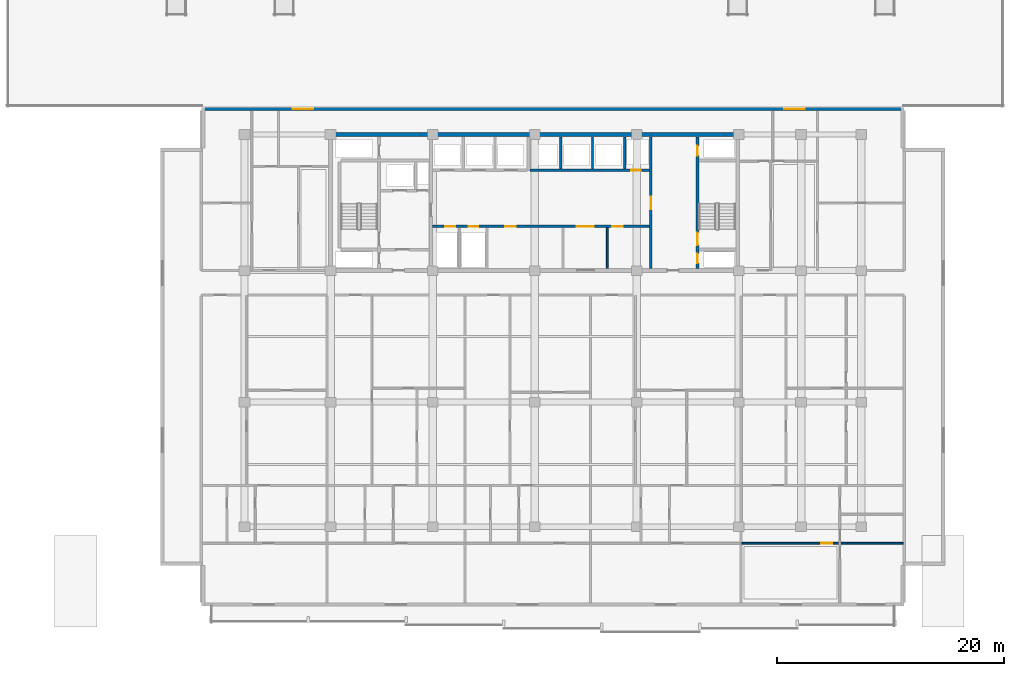
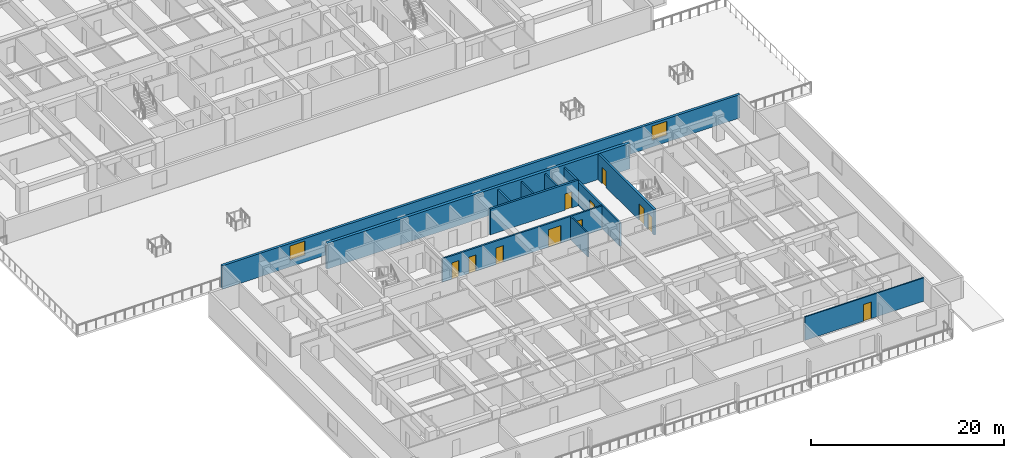
# One storey, part 7 of 24: 11 doors, 11 walls, 2 windows, 13 openings.
"""IFC4 building model written with IfcOpenShell, lengths in metres."""

import ifcopenshell
import ifcopenshell.guid

model = None  # the IFC model being written
_history = None  # IfcOwnerHistory: only IFC2X3 demands one
_inside = {}  # id of a spatial element -> (the spatial element, [elements in it])
_under = {}  # id of a project, library or spatial element -> (it, [spatial elements below it])
_declared = {}  # id of a project -> (the project, [libraries it declares])
_typed = {}  # id of a type object -> (the type object, [elements of that type])
_made_of = {}  # id of a material, layer set ... -> (it, [elements and type objects made of it])


def new_model(schema):
    """Start an empty IFC model of exactly this schema.

    Asked for "IFC4X3", IfcOpenShell would pick the latest addendum, in which some entities
    have other attributes; the version numbers below select the first issue.
    IFC2X3 requires an IfcOwnerHistory on every rooted entity: one is made here for all.
    """
    global model, _history
    if schema == "IFC4X3":
        model = ifcopenshell.file(schema_version=(4, 3, 0, 0))
    else:
        model = ifcopenshell.file(schema=schema)
    _inside.clear()
    _under.clear()
    _declared.clear()
    _typed.clear()
    _made_of.clear()
    _history = None
    if model.schema == "IFC2X3":
        org = make("IfcOrganization", Name="unknown")
        user = make(
            "IfcPersonAndOrganization",
            ThePerson=make("IfcPerson", FamilyName="unknown"),
            TheOrganization=org,
        )
        app = make(
            "IfcApplication",
            ApplicationDeveloper=org,
            Version="unknown",
            ApplicationFullName="unknown",
            ApplicationIdentifier="unknown",
        )
        _history = make(
            "IfcOwnerHistory",
            OwningUser=user,
            OwningApplication=app,
            ChangeAction="ADDED",
            CreationDate=0,
        )
    return model


def make(cls, **values):
    """One entity of the class cls with the attributes given. An attribute that is None is left unset."""
    return model.create_entity(
        cls, **{name: value for name, value in values.items() if value is not None}
    )


def rooted(cls, **values):
    """An entity with a GlobalId (a new one), such as an element, a storey or a relation."""
    return make(cls, GlobalId=ifcopenshell.guid.new(), OwnerHistory=_history, **values)


def si_unit(unit_type, name, prefix=None):
    """IfcSIUnit, for example si_unit("LENGTHUNIT", "METRE", prefix="MILLI")."""
    return make("IfcSIUnit", UnitType=unit_type, Prefix=prefix, Name=name)


def assignment(units):
    """IfcUnitAssignment: the units of a project."""
    return None if units is None else make("IfcUnitAssignment", Units=units)


def point(xyz):
    """IfcCartesianPoint."""
    return None if xyz is None else make("IfcCartesianPoint", Coordinates=xyz)


def direction(xyz):
    """IfcDirection."""
    return None if xyz is None else make("IfcDirection", DirectionRatios=xyz)


def frame(location, z_axis=None, x_axis=None):
    """IfcAxis2Placement3D, a coordinate frame: its origin and axes. An axis left out is left unset."""
    return make(
        "IfcAxis2Placement3D",
        Location=point(location),
        Axis=direction(z_axis),
        RefDirection=direction(x_axis),
    )


def frame_2d(location, x_axis=None):
    """IfcAxis2Placement2D, a coordinate frame in the plane: its origin and x axis."""
    return make(
        "IfcAxis2Placement2D", Location=point(location), RefDirection=direction(x_axis)
    )


def origin():
    """The frame at (0, 0, 0) with its axes left unset."""
    return frame((0.0, 0.0, 0.0))


def place(relative_to, where):
    """IfcLocalPlacement: puts the frame where relative to a parent placement (None: the world)."""
    return make(
        "IfcLocalPlacement", PlacementRelTo=relative_to, RelativePlacement=where
    )


def context(
    kind, dimensions, precision=None, world=None, true_north=None, identifier=None
):
    """IfcGeometricRepresentationContext, for example the 3D "Model" context."""
    return make(
        "IfcGeometricRepresentationContext",
        ContextIdentifier=identifier,
        ContextType=kind,
        CoordinateSpaceDimension=dimensions,
        Precision=precision,
        WorldCoordinateSystem=world,
        TrueNorth=true_north,
    )


def subcontext(parent, identifier, kind, view, scale=None):
    """IfcGeometricRepresentationSubContext, for example "Body" below "Model"."""
    return make(
        "IfcGeometricRepresentationSubContext",
        ContextIdentifier=identifier,
        ContextType=kind,
        ParentContext=parent,
        TargetScale=scale,
        TargetView=view,
    )


def project(units=None, contexts=None):
    """IfcProject with its units and contexts."""
    return rooted(
        "IfcProject",
        Name="project",
        RepresentationContexts=contexts,
        UnitsInContext=assignment(units),
    )


def spatial(cls, under=None, at=None, **own):
    """A site, building, storey or space (cls), placed at a placement, below another one or the project."""
    s = rooted(cls, ObjectPlacement=at, **own)
    if under is not None:
        _under.setdefault(under.id(), (under, []))[1].append(s)
    return s


def profile(cls, at=None, kind="AREA", **sizes):
    """A parametric profile (cls). Its sizes go by their IFC names, for example OverallWidth=200.0."""
    return make(cls, ProfileType=kind, Position=at, **sizes)


def rectangle(**sizes):
    """IfcRectangleProfileDef."""
    return profile("IfcRectangleProfileDef", **sizes)


def extrude(swept, where, along, depth):
    """IfcExtrudedAreaSolid: the profile swept, set in the frame where, extruded along a direction by depth."""
    return make(
        "IfcExtrudedAreaSolid",
        SweptArea=swept,
        Position=where,
        ExtrudedDirection=direction(along),
        Depth=depth,
    )


def shape(context_of_items, identifier, shape_type, items):
    """IfcShapeRepresentation: the items that make up one representation, for example the "Body"."""
    return make(
        "IfcShapeRepresentation",
        ContextOfItems=context_of_items,
        RepresentationIdentifier=identifier,
        RepresentationType=shape_type,
        Items=items,
    )


def material(Name=None, Category=None):
    """IfcMaterial."""
    return make("IfcMaterial", Name=Name, Category=Category)


def layer(
    of_material, thickness, ventilated=None, Name=None, Category=None, Priority=None
):
    """IfcMaterialLayer: one layer of a wall or slab, of a material (None: an air gap)."""
    return make(
        "IfcMaterialLayer",
        Material=of_material,
        LayerThickness=thickness,
        IsVentilated=ventilated,
        Name=Name,
        Category=Category,
        Priority=Priority,
    )


def layer_set(layers, Name=None):
    """IfcMaterialLayerSet."""
    return make("IfcMaterialLayerSet", MaterialLayers=layers, LayerSetName=Name)


def made_of(thing, what):
    """Note that an element or type object is made of a material, layer set ...; save() writes the relation."""
    if what is not None:
        _made_of.setdefault(what.id(), (what, []))[1].append(thing)
    return thing


def type_object(cls, material=None, **own):
    """A type object (cls), such as IfcWallType, which elements share."""
    return made_of(rooted(cls, **own), material)


def element(
    cls,
    number,
    at=None,
    inside=None,
    cuts=None,
    type_object=None,
    material=None,
    context=None,
    identifier="Body",
    shape_type=None,
    held_by="IfcProductDefinitionShape",
    body=None,
    shapes=None,
    **own,
):
    """One element of the class cls, such as IfcWall. Its Tag is "e" and its number.

    at: its placement. inside: the storey or other place that contains it. cuts: it is an
    opening in that element (IfcRelVoidsElement). A single representation is given by context,
    identifier, shape_type and body (its items); several are given by shapes. held_by: the class
    of the entity that holds the representations. save() writes the other relations.
    """
    e = rooted(cls, Tag="e%d" % number, ObjectPlacement=at, **own)
    if body is not None:
        shapes = [shape(context, identifier, shape_type, body)]
    if shapes is not None:
        e.Representation = make(held_by, Representations=shapes)
    if inside is not None:
        _inside.setdefault(inside.id(), (inside, []))[1].append(e)
    if cuts is not None:
        rooted(
            "IfcRelVoidsElement", RelatingBuildingElement=cuts, RelatedOpeningElement=e
        )
    if type_object is not None:
        _typed.setdefault(type_object.id(), (type_object, []))[1].append(e)
    return made_of(e, material)


def fill(opening, filler):
    """IfcRelFillsElement: the door or window that sits in an opening."""
    return rooted(
        "IfcRelFillsElement",
        RelatingOpeningElement=opening,
        RelatedBuildingElement=filler,
    )


def aggregate(whole, parts):
    """IfcRelAggregates: a whole, such as a stair, and the parts it consists of."""
    return rooted("IfcRelAggregates", RelatingObject=whole, RelatedObjects=parts)


def save(model, path):
    """Write the relations noted so far, then the file.

    IfcRelAggregates (storeys below a building ...), IfcRelContainedInSpatialStructure (elements
    in a storey), IfcRelDefinesByType, IfcRelAssociatesMaterial and IfcRelDeclares: one each for
    every whole, place, type object, material and project.
    """
    for whole, parts in _under.values():
        aggregate(whole, parts)
    for where, things in _inside.values():
        rooted(
            "IfcRelContainedInSpatialStructure",
            RelatedElements=things,
            RelatingStructure=where,
        )
    for kind, things in _typed.values():
        rooted("IfcRelDefinesByType", RelatedObjects=things, RelatingType=kind)
    for what, things in _made_of.values():
        rooted("IfcRelAssociatesMaterial", RelatedObjects=things, RelatingMaterial=what)
    for by, libraries in _declared.values():
        rooted("IfcRelDeclares", RelatingContext=by, RelatedDefinitions=libraries)
    model.write(path)


model = new_model("IFC4")

# Units and contexts
model_context = context("Model", 3, precision=1e-05, world=origin(), true_north=direction((0.0, 1.0)))
body_context = subcontext(model_context, "Body", "Model", "MODEL_VIEW")
ifc_project = project(units=[si_unit("LENGTHUNIT", "METRE"), si_unit("AREAUNIT", "SQUARE_METRE"), si_unit("VOLUMEUNIT", "CUBIC_METRE"), si_unit("PLANEANGLEUNIT", "RADIAN"), si_unit("MASSUNIT", "GRAM", prefix="KILO")], contexts=[model_context])

# Site, building, storey
site_placement = place(None, origin())
site = spatial("IfcSite", under=ifc_project, at=site_placement, CompositionType="ELEMENT")
building_placement = place(site_placement, origin())
building = spatial("IfcBuilding", under=site, at=building_placement, Name="Korimba Cascade Residences", CompositionType="ELEMENT")
storey_placement = place(building_placement, frame((0.0, 0.0, 24.0)))
storey = spatial("IfcBuildingStorey", under=building, at=storey_placement, Name="L05", CompositionType="ELEMENT", Elevation=24.0)

# Wall, openings, windows
ifc_material_1 = material(Name="Precast concrete C40/50", Category="concrete")
ifc_layer_1 = layer(ifc_material_1, 0.300048828125)
ifc_layer_set_1 = layer_set([ifc_layer_1], Name="Precast concrete C40/50")
wall_type_1 = type_object("IfcWallType", Name="EW-STONE-300", PredefinedType="STANDARD", material=ifc_layer_set_1)
wall_1_placement = place(storey_placement, frame((132.699951171875, 32.64990234375, 0.0), z_axis=(0.0, 0.0, 1.0), x_axis=(-1.0, 0.0, 0.0)))
wall_1 = element("IfcWall", 1, at=wall_1_placement, inside=storey, type_object=wall_type_1, Name="L05 T2 Perimeter Stone Wall E06", PredefinedType="STANDARD", context=body_context, shape_type="SweptSolid", body=[
    extrude(rectangle(XDim=62.0, YDim=0.300048828125, at=frame_2d((31.0, 0.0))), origin(), (0.0, 0.0, 1.0), 2.969970703125),
])
opening_1_placement = place(wall_1_placement, frame((52.125, 0.0, 0.85009765625)))
opening_1 = element("IfcOpeningElement", 2, at=opening_1_placement, cuts=wall_1, Name="Opening W-02", PredefinedType="OPENING", context=body_context, shape_type="SweptSolid", body=[
    extrude(rectangle(XDim=1.800048828125, YDim=1.800048828125, at=frame_2d((0.89990234375, 0.89990234375))), frame((0.0, 0.16015625, 0.0), z_axis=(0.0, -1.0, 0.0), x_axis=(1.0, 0.0, 0.0)), (0.0, 0.0, 1.0), 0.320068359375),
])
opening_2_placement = place(wall_1_placement, frame((8.77490234375, 0.0, 0.85009765625)))
opening_2 = element("IfcOpeningElement", 3, at=opening_2_placement, cuts=wall_1, Name="Opening W-02", PredefinedType="OPENING", context=body_context, shape_type="SweptSolid", body=[
    extrude(rectangle(XDim=1.800048828125, YDim=1.800048828125, at=frame_2d((0.89990234375, 0.89990234375))), frame((0.0, 0.16015625, 0.0), z_axis=(0.0, -1.0, 0.0), x_axis=(1.0, 0.0, 0.0)), (0.0, 0.0, 1.0), 0.320068359375),
])
ifc_material_2 = material(Name="Double-Glazed Aluminium Window", Category="aluminium")
window_type = type_object("IfcWindowType", Name="WIN-BED-1800", PartitioningType="SINGLE_PANEL", PredefinedType="WINDOW", material=ifc_material_2)
window_1_placement = place(opening_1_placement, origin())
window_1 = element("IfcWindow", 4, at=window_1_placement, inside=storey, type_object=window_type, Name="L05 T2 North Corner Bedroom Window 1", OverallHeight=1.800048828125, OverallWidth=1.800048828125, PartitioningType="SINGLE_PANEL", PredefinedType="WINDOW", context=body_context, shape_type="SweptSolid", body=[
    extrude(rectangle(XDim=1.800048828125, YDim=1.800048828125, at=frame_2d((0.89990234375, 0.89990234375))), frame((0.0, 0.030029296875, 0.0), z_axis=(0.0, -1.0, 0.0), x_axis=(1.0, 0.0, 0.0)), (0.0, 0.0, 1.0), 0.06005859375),
])
fill(opening_1, window_1)
window_2_placement = place(opening_2_placement, origin())
window_2 = element("IfcWindow", 5, at=window_2_placement, inside=storey, type_object=window_type, Name="L05 T2 North Corner Bedroom Window 2", OverallHeight=1.800048828125, OverallWidth=1.800048828125, PartitioningType="SINGLE_PANEL", PredefinedType="WINDOW", context=body_context, shape_type="SweptSolid", body=[
    extrude(rectangle(XDim=1.800048828125, YDim=1.800048828125, at=frame_2d((0.89990234375, 0.89990234375))), frame((0.0, 0.030029296875, 0.0), z_axis=(0.0, -1.0, 0.0), x_axis=(1.0, 0.0, 0.0)), (0.0, 0.0, 1.0), 0.06005859375),
])
fill(opening_2, window_2)

# Walls
ifc_material_3 = material(Name="Concrete C65/80", Category="concrete")
ifc_layer_2 = layer(ifc_material_3, 0.35009765625)
ifc_layer_set_2 = layer_set([ifc_layer_2], Name="Concrete C65/80")
wall_type_2 = type_object("IfcWallType", Name="WAL-CORE-350", PredefinedType="SHEAR", material=ifc_layer_set_2)
wall_2_placement = place(storey_placement, frame((81.925048828125, 30.39990234375, 0.0), z_axis=(0.0, 0.0, 1.0), x_axis=(1.0, 0.0, 0.0)))
element("IfcWall", 6, at=wall_2_placement, inside=storey, type_object=wall_type_2, Name="L05 Core Shear Wall CW-L05-T2-N", PredefinedType="SHEAR", context=body_context, shape_type="SweptSolid", body=[
    extrude(rectangle(XDim=36.264892578125, YDim=0.35009765625, at=frame_2d((18.13232421875, 0.0))), origin(), (0.0, 0.0, 1.0), 3.25),
])
ifc_material_4 = material(Name="Insulated Acoustic Stud Partition", Category="gypsum")
ifc_layer_3 = layer(ifc_material_4, 0.14990234375)
ifc_layer_set_3 = layer_set([ifc_layer_3], Name="Insulated Acoustic Stud Partition")
wall_type_3 = type_object("IfcWallType", Name="WAL-PART-150", PredefinedType="PARTITIONING", material=ifc_layer_set_3)
wall_3_placement = place(storey_placement, frame((106.5, 18.60009765625, 0.0), z_axis=(0.0, 0.0, 1.0), x_axis=(0.0, 1.0, 0.0)))
element("IfcWall", 7, at=wall_3_placement, inside=storey, type_object=wall_type_3, Name="L05 Partition Wall CW-L05-T2-THE", PredefinedType="PARTITIONING", context=body_context, shape_type="SweptSolid", body=[
    extrude(rectangle(XDim=3.599853515625, YDim=0.14990234375, at=frame_2d((1.7998046875, 0.0))), origin(), (0.0, 0.0, 1.0), 2.969970703125),
])

# Wall, opening, door
wall_4_placement = place(storey_placement, frame((118.38720703125, -5.64990234375, 0.0), z_axis=(0.0, 0.0, 1.0), x_axis=(1.0, 0.0, 0.0)))
wall_4 = element("IfcWall", 8, at=wall_4_placement, inside=storey, type_object=wall_type_3, Name="L05 Partition Wall WAL-L05-T2-U05-HZ", PredefinedType="PARTITIONING", context=body_context, shape_type="SweptSolid", body=[
    extrude(rectangle(XDim=14.23291015625, YDim=0.14990234375, at=frame_2d((7.116455078125, 0.0))), origin(), (0.0, 0.0, 1.0), 2.969970703125),
])
opening_3_placement = place(wall_4_placement, frame((7.01123046875, 0.0, 0.0)))
opening_3 = element("IfcOpeningElement", 9, at=opening_3_placement, cuts=wall_4, Name="Opening D-IN0", PredefinedType="OPENING", context=body_context, shape_type="SweptSolid", body=[
    extrude(rectangle(XDim=0.93994140625, YDim=2.10009765625, at=frame_2d((0.469970703125, 1.050048828125))), frame((0.0, 0.0849609375, 0.0), z_axis=(0.0, -1.0, 0.0), x_axis=(1.0, 0.0, 0.0)), (0.0, 0.0, 1.0), 0.169921875),
])
ifc_material_5 = material(Name="Acoustic Timber Living Archway Door", Category="wood")
door_type_1 = type_object("IfcDoorType", Name="DR-INT-950", OperationType="NOTDEFINED", PredefinedType="DOOR", material=ifc_material_5)
door_1_placement = place(opening_3_placement, origin())
door_1 = element("IfcDoor", 10, at=door_1_placement, inside=storey, type_object=door_type_1, Name="L05-T2-U05 Living Archway Door", OperationType="SINGLE_SWING_RIGHT", OverallHeight=2.10009765625, OverallWidth=0.93994140625, PredefinedType="DOOR", context=body_context, shape_type="SweptSolid", body=[
    extrude(rectangle(XDim=0.93994140625, YDim=2.10009765625, at=frame_2d((0.469970703125, 1.050048828125))), frame((0.0, 0.02490234375, 0.0), z_axis=(0.0, -1.0, 0.0), x_axis=(1.0, 0.0, 0.0)), (0.0, 0.0, 1.0), 0.050048828125),
])
fill(opening_3, door_1)

# Walls
ifc_material_6 = material(Name="Concrete C40/50", Category="concrete")
ifc_layer_4 = layer(ifc_material_6, 0.199951171875)
ifc_layer_set_4 = layer_set([ifc_layer_4], Name="Concrete C40/50")
wall_type_4 = type_object("IfcWallType", Name="WAL-PART-200", PredefinedType="PARTITIONING", material=ifc_layer_set_4)
for number, where, z_axis, x_axis, name in (
    (11, (102.39990234375, 27.3798828125, 0.0), (0.0, 0.0, 1.0), (0.0, 1.0, 0.0), "L05 Partition Wall CW-L05-T2-B2D1"),
    (12, (105.199951171875, 27.3798828125, 0.0), (0.0, 0.0, 1.0), (0.0, 1.0, 0.0), "L05 Partition Wall CW-L05-T2-B2D2"),
    (13, (108.050048828125, 27.3798828125, 0.0), (0.0, 0.0, 1.0), (0.0, 1.0, 0.0), "L05 Partition Wall CW-L05-T2-B2D3"),
):
    element("IfcWall", number, at=place(storey_placement, frame(where, z_axis=z_axis, x_axis=x_axis)), inside=storey, type_object=wall_type_4, Name=name, PredefinedType="PARTITIONING", context=body_context, shape_type="SweptSolid", body=[
        extrude(rectangle(XDim=2.820068359375, YDim=0.199951171875, at=frame_2d((1.41015625, 0.0))), origin(), (0.0, 0.0, 1.0), 2.969970703125),
    ])

# Wall, openings, doors
wall_5_placement = place(storey_placement, frame((91.080078125, 22.300048828125, 0.0), z_axis=(0.0, 0.0, 1.0), x_axis=(1.0, 0.0, 0.0)))
wall_5 = element("IfcWall", 14, at=wall_5_placement, inside=storey, type_object=wall_type_4, Name="L05 Partition Wall CW-L05-T2-SRVROW", PredefinedType="PARTITIONING", context=body_context, shape_type="SweptSolid", body=[
    extrude(rectangle(XDim=19.139892578125, YDim=0.199951171875, at=frame_2d((9.56982421875, 0.0))), origin(), (0.0, 0.0, 1.0), 2.969970703125),
])
opening_4_placement = place(wall_5_placement, frame((1.14990234375, 0.0, 0.0)))
opening_4 = element("IfcOpeningElement", 15, at=opening_4_placement, cuts=wall_5, Name="Opening D-RS1", PredefinedType="OPENING", context=body_context, shape_type="SweptSolid", body=[
    extrude(rectangle(XDim=0.85009765625, YDim=2.050048828125, at=frame_2d((0.425048828125, 1.02490234375))), frame((0.0, 0.10986328125, 0.0), z_axis=(0.0, -1.0, 0.0), x_axis=(1.0, 0.0, 0.0)), (0.0, 0.0, 1.0), 0.219970703125),
])
opening_5_placement = place(wall_5_placement, frame((3.199951171875, 0.0, 0.0)))
opening_5 = element("IfcOpeningElement", 16, at=opening_5_placement, cuts=wall_5, Name="Opening D-RS1", PredefinedType="OPENING", context=body_context, shape_type="SweptSolid", body=[
    extrude(rectangle(XDim=0.85009765625, YDim=2.050048828125, at=frame_2d((0.425048828125, 1.02490234375))), frame((0.0, 0.10986328125, 0.0), z_axis=(0.0, -1.0, 0.0), x_axis=(1.0, 0.0, 0.0)), (0.0, 0.0, 1.0), 0.219970703125),
])
opening_6_placement = place(wall_5_placement, frame((12.719970703125, 0.0, 0.0)))
opening_6 = element("IfcOpeningElement", 17, at=opening_6_placement, cuts=wall_5, Name="Opening D-FD8", PredefinedType="OPENING", context=body_context, shape_type="SweptSolid", body=[
    extrude(rectangle(XDim=1.5, YDim=2.199951171875, at=frame_2d((0.75, 1.10009765625))), frame((0.0, 0.10986328125, 0.0), z_axis=(0.0, -1.0, 0.0), x_axis=(1.0, 0.0, 0.0)), (0.0, 0.0, 1.0), 0.219970703125),
])
opening_7_placement = place(wall_5_placement, frame((6.419921875, 0.0, 0.0)))
opening_7 = element("IfcOpeningElement", 18, at=opening_7_placement, cuts=wall_5, Name="Opening D-IN1", PredefinedType="OPENING", context=body_context, shape_type="SweptSolid", body=[
    extrude(rectangle(XDim=0.919921875, YDim=2.080078125, at=frame_2d((0.4599609375, 1.0400390625))), frame((0.0, 0.10986328125, 0.0), z_axis=(0.0, -1.0, 0.0), x_axis=(1.0, 0.0, 0.0)), (0.0, 0.0, 1.0), 0.219970703125),
])
opening_8_placement = place(wall_5_placement, frame((15.8701171875, 0.0, 0.0)))
opening_8 = element("IfcOpeningElement", 19, at=opening_8_placement, cuts=wall_5, Name="Opening D-IN1", PredefinedType="OPENING", context=body_context, shape_type="SweptSolid", body=[
    extrude(rectangle(XDim=0.919921875, YDim=2.080078125, at=frame_2d((0.4599609375, 1.0400390625))), frame((0.0, 0.10986328125, 0.0), z_axis=(0.0, -1.0, 0.0), x_axis=(1.0, 0.0, 0.0)), (0.0, 0.0, 1.0), 0.219970703125),
])
ifc_material_7 = material(Name="Fire-Rated Steel Riser Access Door", Category="steel")
door_type_2 = type_object("IfcDoorType", Name="DR-FD60-850", OperationType="NOTDEFINED", PredefinedType="DOOR", material=ifc_material_7)
door_2_placement = place(opening_4_placement, origin())
door_2 = element("IfcDoor", 20, at=door_2_placement, inside=storey, type_object=door_type_2, Name="L05 T2 Electrical Riser Door", OperationType="SINGLE_SWING_RIGHT", OverallHeight=2.050048828125, OverallWidth=0.85009765625, PredefinedType="DOOR", context=body_context, shape_type="SweptSolid", body=[
    extrude(rectangle(XDim=0.85009765625, YDim=2.050048828125, at=frame_2d((0.425048828125, 1.02490234375))), frame((0.0, 0.02490234375, 0.0), z_axis=(0.0, -1.0, 0.0), x_axis=(1.0, 0.0, 0.0)), (0.0, 0.0, 1.0), 0.050048828125),
])
fill(opening_4, door_2)
door_3_placement = place(opening_5_placement, origin())
door_3 = element("IfcDoor", 21, at=door_3_placement, inside=storey, type_object=door_type_2, Name="L05 T2 Plumbing Riser Door", OperationType="SINGLE_SWING_LEFT", OverallHeight=2.050048828125, OverallWidth=0.85009765625, PredefinedType="DOOR", context=body_context, shape_type="SweptSolid", body=[
    extrude(rectangle(XDim=0.85009765625, YDim=2.050048828125, at=frame_2d((0.425048828125, 1.02490234375))), frame((0.0, 0.02490234375, 0.0), z_axis=(0.0, -1.0, 0.0), x_axis=(1.0, 0.0, 0.0)), (0.0, 0.0, 1.0), 0.050048828125),
])
fill(opening_5, door_3)
ifc_material_8 = material(Name="Fire-Rated Glazed Lift Lobby Double Door", Category="glass")
door_type_3 = type_object("IfcDoorType", Name="DR-FD90-1500", OperationType="NOTDEFINED", PredefinedType="DOOR", material=ifc_material_8)
door_4_placement = place(opening_6_placement, origin())
door_4 = element("IfcDoor", 22, at=door_4_placement, inside=storey, type_object=door_type_3, Name="L05 T2 Lift Lobby Foyer Door", OperationType="DOUBLE_DOOR_SINGLE_SWING", OverallHeight=2.199951171875, OverallWidth=1.5, PredefinedType="DOOR", context=body_context, shape_type="SweptSolid", body=[
    extrude(rectangle(XDim=1.5, YDim=2.199951171875, at=frame_2d((0.75, 1.10009765625))), frame((0.0, 0.02490234375, 0.0), z_axis=(0.0, -1.0, 0.0), x_axis=(1.0, 0.0, 0.0)), (0.0, 0.0, 1.0), 0.050048828125),
])
fill(opening_6, door_4)
ifc_material_9 = material(Name="Acoustic Timber Living Door", Category="wood")
door_type_4 = type_object("IfcDoorType", Name="DR-INT-920", OperationType="NOTDEFINED", PredefinedType="DOOR", material=ifc_material_9)
door_5_placement = place(opening_7_placement, origin())
door_5 = element("IfcDoor", 23, at=door_5_placement, inside=storey, type_object=door_type_4, Name="L05 T2 Housekeeping Door", OperationType="SINGLE_SWING_RIGHT", OverallHeight=2.080078125, OverallWidth=0.919921875, PredefinedType="DOOR", context=body_context, shape_type="SweptSolid", body=[
    extrude(rectangle(XDim=0.919921875, YDim=2.080078125, at=frame_2d((0.4599609375, 1.0400390625))), frame((0.0, 0.02490234375, 0.0), z_axis=(0.0, -1.0, 0.0), x_axis=(1.0, 0.0, 0.0)), (0.0, 0.0, 1.0), 0.050048828125),
])
fill(opening_7, door_5)
door_6_placement = place(opening_8_placement, origin())
door_6 = element("IfcDoor", 24, at=door_6_placement, inside=storey, type_object=door_type_4, Name="L05 T2 Store Door", OperationType="SINGLE_SWING_LEFT", OverallHeight=2.080078125, OverallWidth=0.919921875, PredefinedType="DOOR", context=body_context, shape_type="SweptSolid", body=[
    extrude(rectangle(XDim=0.919921875, YDim=2.080078125, at=frame_2d((0.4599609375, 1.0400390625))), frame((0.0, 0.02490234375, 0.0), z_axis=(0.0, -1.0, 0.0), x_axis=(1.0, 0.0, 0.0)), (0.0, 0.0, 1.0), 0.050048828125),
])
fill(opening_8, door_6)

# Wall, opening, door
wall_6_placement = place(storey_placement, frame((110.35009765625, 18.60009765625, 0.0), z_axis=(0.0, 0.0, 1.0), x_axis=(0.0, 1.0, 0.0)))
wall_6 = element("IfcWall", 25, at=wall_6_placement, inside=storey, type_object=wall_type_4, Name="L05 Partition Wall CW-L05-T2-LLEV", PredefinedType="PARTITIONING", context=body_context, shape_type="SweptSolid", body=[
    extrude(rectangle(XDim=11.599853515625, YDim=0.199951171875, at=frame_2d((5.7998046875, 0.0))), origin(), (0.0, 0.0, 1.0), 2.969970703125),
])
opening_9_placement = place(wall_6_placement, frame((5.199951171875, 0.0, 0.0)))
opening_9 = element("IfcOpeningElement", 26, at=opening_9_placement, cuts=wall_6, Name="Opening D-FD6", PredefinedType="OPENING", context=body_context, shape_type="SweptSolid", body=[
    extrude(rectangle(XDim=1.10009765625, YDim=2.14990234375, at=frame_2d((0.550048828125, 1.074951171875))), frame((0.0, 0.10986328125, 0.0), z_axis=(0.0, -1.0, 0.0), x_axis=(1.0, 0.0, 0.0)), (0.0, 0.0, 1.0), 0.219970703125),
])
ifc_material_10 = material(Name="Fire-Rated Timber Stair Lobby Door", Category="wood")
door_type_5 = type_object("IfcDoorType", Name="DR-FD90-1100", OperationType="NOTDEFINED", PredefinedType="DOOR", material=ifc_material_10)
door_7_placement = place(opening_9_placement, origin())
door_7 = element("IfcDoor", 27, at=door_7_placement, inside=storey, type_object=door_type_5, Name="L05 T2 Lift Lobby to East Stair Lobby Door", OperationType="SINGLE_SWING_RIGHT", OverallHeight=2.14990234375, OverallWidth=1.10009765625, PredefinedType="DOOR", context=body_context, shape_type="SweptSolid", body=[
    extrude(rectangle(XDim=1.10009765625, YDim=2.14990234375, at=frame_2d((0.550048828125, 1.074951171875))), frame((0.0, 0.02490234375, 0.0), z_axis=(0.0, -1.0, 0.0), x_axis=(1.0, 0.0, 0.0)), (0.0, 0.0, 1.0), 0.050048828125),
])
fill(opening_9, door_7)

ifc_material_11 = material(Name="Concrete C50/60", Category="concrete")
ifc_layer_5 = layer(ifc_material_11, 0.25)
ifc_layer_set_5 = layer_set([ifc_layer_5], Name="Concrete C50/60")
wall_type_5 = type_object("IfcWallType", Name="WAL-SHAFT-250", PredefinedType="SHEAR", material=ifc_layer_set_5)
wall_7_placement = place(storey_placement, frame((99.679931640625, 27.25, 0.0), z_axis=(0.0, 0.0, 1.0), x_axis=(1.0, 0.0, 0.0)))
wall_7 = element("IfcWall", 28, at=wall_7_placement, inside=storey, type_object=wall_type_5, Name="L05 Core Shear Wall CW-L05-T2-B2S", PredefinedType="SHEAR", context=body_context, shape_type="SweptSolid", body=[
    extrude(rectangle(XDim=10.5400390625, YDim=0.25, at=frame_2d((5.27001953125, 0.0))), origin(), (0.0, 0.0, 1.0), 3.25),
])
opening_10_placement = place(wall_7_placement, frame((8.919921875, 0.0, 0.0)))
opening_10 = element("IfcOpeningElement", 29, at=opening_10_placement, cuts=wall_7, Name="Opening D-RS1", PredefinedType="OPENING", context=body_context, shape_type="SweptSolid", body=[
    extrude(rectangle(XDim=0.85009765625, YDim=2.050048828125, at=frame_2d((0.425048828125, 1.02490234375))), frame((0.0, 0.135009765625, 0.0), z_axis=(0.0, -1.0, 0.0), x_axis=(1.0, 0.0, 0.0)), (0.0, 0.0, 1.0), 0.27001953125),
])
door_8_placement = place(opening_10_placement, origin())
door_8 = element("IfcDoor", 30, at=door_8_placement, inside=storey, type_object=door_type_2, Name="L05 T2 Duct Door", OperationType="SINGLE_SWING_LEFT", OverallHeight=2.050048828125, OverallWidth=0.85009765625, PredefinedType="DOOR", context=body_context, shape_type="SweptSolid", body=[
    extrude(rectangle(XDim=0.85009765625, YDim=2.050048828125, at=frame_2d((0.425048828125, 1.02490234375))), frame((0.0, 0.02490234375, 0.0), z_axis=(0.0, -1.0, 0.0), x_axis=(1.0, 0.0, 0.0)), (0.0, 0.0, 1.0), 0.050048828125),
])
fill(opening_10, door_8)

# Wall, openings, doors
wall_8_placement = place(storey_placement, frame((114.47509765625, 18.60009765625, 0.0), z_axis=(0.0, 0.0, 1.0), x_axis=(0.0, 1.0, 0.0)))
wall_8 = element("IfcWall", 31, at=wall_8_placement, inside=storey, type_object=wall_type_5, Name="L05 Core Shear Wall CW-L05-T2-STE2W", PredefinedType="SHEAR", context=body_context, shape_type="SweptSolid", body=[
    extrude(rectangle(XDim=11.599853515625, YDim=0.25, at=frame_2d((5.7998046875, 0.0))), origin(), (0.0, 0.0, 1.0), 3.25),
])
opening_11_placement = place(wall_8_placement, frame((0.449951171875, 0.0, 0.0)))
opening_11 = element("IfcOpeningElement", 32, at=opening_11_placement, cuts=wall_8, Name="Opening D-RS1", PredefinedType="OPENING", context=body_context, shape_type="SweptSolid", body=[
    extrude(rectangle(XDim=0.85009765625, YDim=2.050048828125, at=frame_2d((0.425048828125, 1.02490234375))), frame((0.0, 0.135009765625, 0.0), z_axis=(0.0, -1.0, 0.0), x_axis=(1.0, 0.0, 0.0)), (0.0, 0.0, 1.0), 0.27001953125),
])
opening_12_placement = place(wall_8_placement, frame((2.050048828125, 0.0, 0.0)))
opening_12 = element("IfcOpeningElement", 33, at=opening_12_placement, cuts=wall_8, Name="Opening D-FD1", PredefinedType="OPENING", context=body_context, shape_type="SweptSolid", body=[
    extrude(rectangle(XDim=1.10009765625, YDim=2.10009765625, at=frame_2d((0.550048828125, 1.050048828125))), frame((0.0, 0.135009765625, 0.0), z_axis=(0.0, -1.0, 0.0), x_axis=(1.0, 0.0, 0.0)), (0.0, 0.0, 1.0), 0.27001953125),
])
opening_13_placement = place(wall_8_placement, frame((9.949951171875, 0.0, 0.0)))
opening_13 = element("IfcOpeningElement", 34, at=opening_13_placement, cuts=wall_8, Name="Opening D-RS1", PredefinedType="OPENING", context=body_context, shape_type="SweptSolid", body=[
    extrude(rectangle(XDim=0.85009765625, YDim=2.050048828125, at=frame_2d((0.425048828125, 1.02490234375))), frame((0.0, 0.135009765625, 0.0), z_axis=(0.0, -1.0, 0.0), x_axis=(1.0, 0.0, 0.0)), (0.0, 0.0, 1.0), 0.27001953125),
])
ifc_material_12 = material(Name="Fire-Rated Steel Core Door", Category="steel")
door_type_6 = type_object("IfcDoorType", Name="DR-FD120-1100", OperationType="NOTDEFINED", PredefinedType="DOOR", material=ifc_material_12)
door_9_placement = place(opening_12_placement, origin())
door_9 = element("IfcDoor", 35, at=door_9_placement, inside=storey, type_object=door_type_6, Name="L05 Fire Stair ST-E2 Door", OperationType="SINGLE_SWING_RIGHT", OverallHeight=2.10009765625, OverallWidth=1.10009765625, PredefinedType="DOOR", context=body_context, shape_type="SweptSolid", body=[
    extrude(rectangle(XDim=1.10009765625, YDim=2.10009765625, at=frame_2d((0.550048828125, 1.050048828125))), frame((0.0, 0.02490234375, 0.0), z_axis=(0.0, -1.0, 0.0), x_axis=(1.0, 0.0, 0.0)), (0.0, 0.0, 1.0), 0.050048828125),
])
fill(opening_12, door_9)
door_10_placement = place(opening_11_placement, origin())
door_10 = element("IfcDoor", 36, at=door_10_placement, inside=storey, type_object=door_type_2, Name="L05 T2 East Hydrant Door", OperationType="SINGLE_SWING_LEFT", OverallHeight=2.050048828125, OverallWidth=0.85009765625, PredefinedType="DOOR", context=body_context, shape_type="SweptSolid", body=[
    extrude(rectangle(XDim=0.85009765625, YDim=2.050048828125, at=frame_2d((0.425048828125, 1.02490234375))), frame((0.0, 0.02490234375, 0.0), z_axis=(0.0, -1.0, 0.0), x_axis=(1.0, 0.0, 0.0)), (0.0, 0.0, 1.0), 0.050048828125),
])
fill(opening_11, door_10)
door_11_placement = place(opening_13_placement, origin())
door_11 = element("IfcDoor", 37, at=door_11_placement, inside=storey, type_object=door_type_2, Name="L05 T2 East Riser Door", OperationType="SINGLE_SWING_LEFT", OverallHeight=2.050048828125, OverallWidth=0.85009765625, PredefinedType="DOOR", context=body_context, shape_type="SweptSolid", body=[
    extrude(rectangle(XDim=0.85009765625, YDim=2.050048828125, at=frame_2d((0.425048828125, 1.02490234375))), frame((0.0, 0.02490234375, 0.0), z_axis=(0.0, -1.0, 0.0), x_axis=(1.0, 0.0, 0.0)), (0.0, 0.0, 1.0), 0.050048828125),
])
fill(opening_13, door_11)

save(model, "model.ifc")
